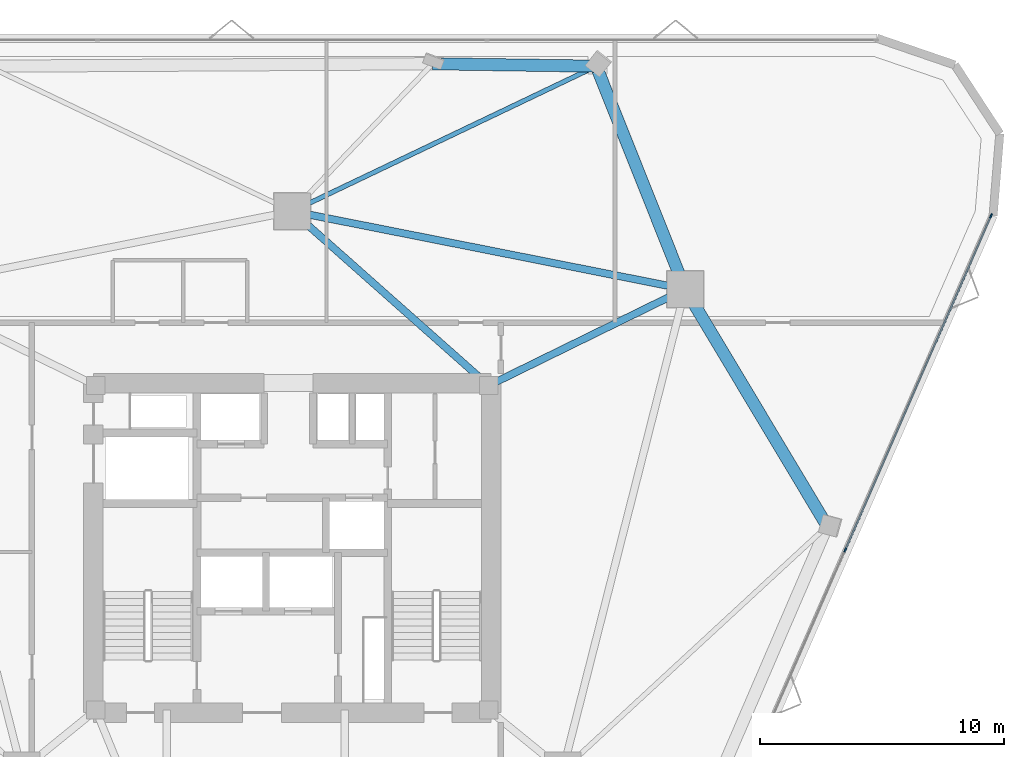
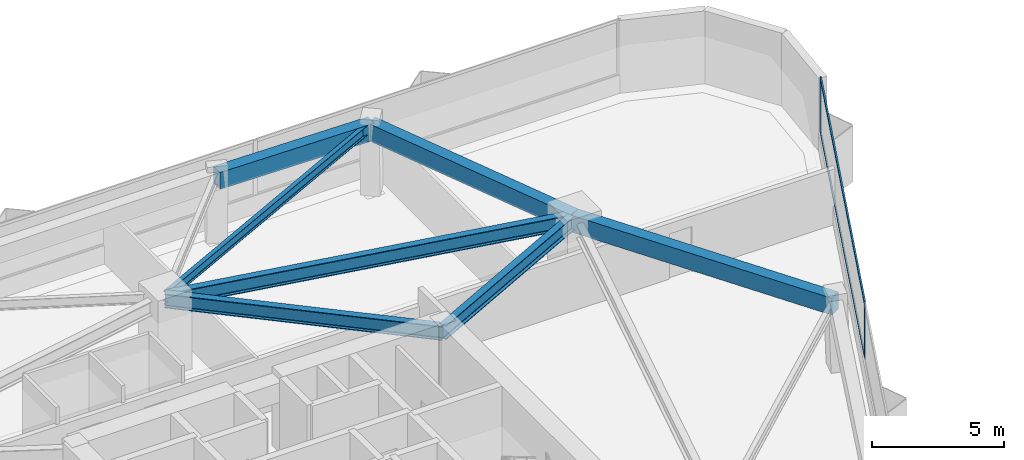
# One storey, part 7 of 16: 7 beams, 4 members, 1 element without a shape of its own.
"""IFC4 building model written with IfcOpenShell, lengths in metres."""

from ifc_helpers import new_model, si_unit, direction, frame, origin, origin_2d, place, context, subcontext, project, spatial, rectangle, i_section, extrude, material, layer, layer_set, material_profile, profile_set, type_object, element, aggregate, save


model = new_model("IFC4")

# Units and contexts
model_context = context("Model", 3, precision=1e-05, world=origin(), true_north=direction((0.0, 1.0)))
body_context = subcontext(model_context, "Body", "Model", "MODEL_VIEW")
ifc_project = project(units=[si_unit("LENGTHUNIT", "METRE"), si_unit("AREAUNIT", "SQUARE_METRE"), si_unit("VOLUMEUNIT", "CUBIC_METRE"), si_unit("PLANEANGLEUNIT", "RADIAN"), si_unit("MASSUNIT", "GRAM", prefix="KILO")], contexts=[model_context])

# Site, building, storey
site_placement = place(None, origin())
site = spatial("IfcSite", under=ifc_project, at=site_placement, CompositionType="ELEMENT")
building_placement = place(site_placement, origin())
building = spatial("IfcBuilding", under=site, at=building_placement, Name="Talyreon Biosciences Tower", CompositionType="ELEMENT")
storey_placement = place(building_placement, frame((0.0, 0.0, 134.5)))
storey = spatial("IfcBuildingStorey", under=building, at=storey_placement, Name="L35", CompositionType="ELEMENT", Elevation=134.5)

# Curtain wall, members
ifc_material_1 = material(Name="Thermally broken aluminium and low-E glazing", Category="aluminium")
ifc_layer = layer(ifc_material_1, 0.18505859375)
ifc_layer_set = layer_set([ifc_layer], Name="Thermally broken aluminium and low-E glazing")
curtain_wall_type = type_object("IfcCurtainWallType", Name="CurtainWall_Zone3Bioprocess", PredefinedType="NOTDEFINED", material=ifc_layer_set)
curtain_wall_placement = place(storey_placement, origin())
curtain_wall = element("IfcCurtainWall", 1, at=curtain_wall_placement, inside=storey, type_object=curtain_wall_type, Name="L35 Unitised Curtain Wall FCW-L35-08", PredefinedType="NOTDEFINED")
ifc_material_2 = material(Name="Anodised thermally broken aluminium", Category="aluminium")
ifc_material_profile_1 = material_profile(ifc_material_2, rectangle(XDim=0.06494140625, YDim=0.179931640625, at=origin_2d()), Name="ALUM MULLION 65x180")
ifc_profile_set_1 = profile_set([ifc_material_profile_1], Name="Anodised thermally broken aluminium")
member_type_1 = type_object("IfcMemberType", Name="CWMullion_65x180", PredefinedType="MULLION", material=ifc_profile_set_1)
member_1_placement = place(storey_placement, frame((94.637451171875, 81.609130859375, 0.81005859375), z_axis=(0.0, 0.0, 1.0), x_axis=(0.916566441856, -0.399882429801, 0.0)))
member_1 = element("IfcMember", 2, at=member_1_placement, type_object=member_type_1, Name="CW4 mullion 1", PredefinedType="MULLION", context=body_context, shape_type="SweptSolid", body=[
    extrude(rectangle(XDim=0.06494140625, YDim=0.179931640625, at=origin_2d()), origin(), (0.0, 0.0, 1.0), 2.56494140625),
])
member_2_placement = place(storey_placement, frame((88.6611328125, 67.910400390625, 0.81005859375), z_axis=(0.0, 0.0, 1.0), x_axis=(0.916566441856, -0.399882429801, 0.0)))
member_2 = element("IfcMember", 3, at=member_2_placement, type_object=member_type_1, Name="CW4 mullion 2", PredefinedType="MULLION", context=body_context, shape_type="SweptSolid", body=[
    extrude(rectangle(XDim=0.06494140625, YDim=0.179931640625, at=origin_2d()), origin(), (0.0, 0.0, 1.0), 2.56494140625),
])
ifc_material_profile_2 = material_profile(ifc_material_2, rectangle(XDim=0.06494140625, YDim=0.139892578125, at=origin_2d()), Name="ALUM TRANSOM 65x140")
ifc_profile_set_2 = profile_set([ifc_material_profile_2], Name="Anodised thermally broken aluminium")
member_type_2 = type_object("IfcMemberType", Name="CWTransom_65x140", PredefinedType="USERDEFINED", material=ifc_profile_set_2)
member_3_placement = place(storey_placement, frame((94.62451171875, 81.5791015625, 0.842529296875), z_axis=(-0.39988306059, -0.916566166653, 0.0), x_axis=(0.916566166653, -0.39988306059, 0.0)))
member_3 = element("IfcMember", 4, at=member_3_placement, type_object=member_type_2, Name="CW4 transom 1.1", ObjectType="TRANSOM", PredefinedType="USERDEFINED", context=body_context, shape_type="SweptSolid", body=[
    extrude(rectangle(XDim=0.06494140625, YDim=0.139892578125, at=origin_2d()), origin(), (0.0, 0.0, 1.0), 14.88037109375),
])
member_4_placement = place(storey_placement, frame((94.62451171875, 81.5791015625, 3.342529296875), z_axis=(-0.39988306059, -0.916566166653, 0.0), x_axis=(0.916566166653, -0.39988306059, 0.0)))
member_4 = element("IfcMember", 5, at=member_4_placement, type_object=member_type_2, Name="CW4 transom 1.2", ObjectType="TRANSOM", PredefinedType="USERDEFINED", context=body_context, shape_type="SweptSolid", body=[
    extrude(rectangle(XDim=0.06494140625, YDim=0.139892578125, at=origin_2d()), origin(), (0.0, 0.0, 1.0), 14.88037109375),
])
aggregate(curtain_wall, [member_1, member_2, member_3, member_4])

# Beams
ifc_material_3 = material(Name="Precast concrete C45/55", Category="concrete")
ifc_material_profile_3 = material_profile(ifc_material_3, rectangle(XDim=0.5, YDim=0.780029296875, at=origin_2d()), Name="RCB 500x780")
ifc_profile_set_3 = profile_set([ifc_material_profile_3], Name="Precast concrete C45/55")
beam_type_1 = type_object("IfcBeamType", Name="ExpressedSpandrel_500x780", PredefinedType="SPANDREL", material=ifc_profile_set_3)
beam_1_placement = place(storey_placement, frame((87.919921875, 68.887451171875, 2.985107421875), z_axis=(-0.51390572923, 0.857846665474, 0.0), x_axis=(-0.857846665474, -0.51390572923, 0.0)))
element("IfcBeam", 6, at=beam_1_placement, inside=storey, type_object=beam_type_1, Name="L35 Expressed Horizontal Concrete Spandrel 04", PredefinedType="SPANDREL", context=body_context, shape_type="SweptSolid", body=[
    extrude(rectangle(XDim=0.5, YDim=0.780029296875, at=origin_2d()), origin(), (0.0, 0.0, 1.0), 11.3203125),
])
beam_2_placement = place(storey_placement, frame((82.102294921875, 78.5986328125, 2.985107421875), z_axis=(-0.370453406097, 0.928851050444, 0.0), x_axis=(-0.928851050444, -0.370453406097, 0.0)))
element("IfcBeam", 7, at=beam_2_placement, inside=storey, type_object=beam_type_1, Name="L35 Expressed Horizontal Concrete Spandrel 05", PredefinedType="SPANDREL", context=body_context, shape_type="SweptSolid", body=[
    extrude(rectangle(XDim=0.5, YDim=0.780029296875, at=origin_2d()), origin(), (0.0, 0.0, 1.0), 9.83740234375),
])
beam_3_placement = place(storey_placement, frame((78.4580078125, 87.736083984375, 2.985107421875), z_axis=(-0.99988869195, 0.014919909877, 0.0), x_axis=(-0.014919909877, -0.99988869195, 0.0)))
element("IfcBeam", 8, at=beam_3_placement, inside=storey, type_object=beam_type_1, Name="L35 Expressed Horizontal Concrete Spandrel 06", PredefinedType="SPANDREL", context=body_context, shape_type="SweptSolid", body=[
    extrude(rectangle(XDim=0.5, YDim=0.780029296875, at=origin_2d()), origin(), (0.0, 0.0, 1.0), 6.708984375),
])
ifc_material_4 = material(Name="Steel SM355", Category="steel")
ifc_material_profile_4 = material_profile(ifc_material_4, i_section(OverallWidth=0.300048828125, OverallDepth=0.64990234375, WebThickness=0.01611328125, FlangeThickness=0.031005859375, FilletRadius=0.027099609375, at=origin_2d()), Name="HE650B")
ifc_profile_set_4 = profile_set([ifc_material_profile_4], Name="Steel SM355")
beam_type_2 = type_object("IfcBeamType", Name="SteelBeam_HE650B", PredefinedType="BEAM", material=ifc_profile_set_4)
beam_4_placement = place(storey_placement, frame((82.102294921875, 78.5986328125, 3.050048828125), z_axis=(-0.980933730698, 0.194342522311, 0.0), x_axis=(-0.194342522311, -0.980933730698, 0.0)))
element("IfcBeam", 9, at=beam_4_placement, inside=storey, type_object=beam_type_2, Name="L35 Mega-Ring Girder 3", PredefinedType="BEAM", context=body_context, shape_type="SweptSolid", body=[
    extrude(i_section(OverallWidth=0.300048828125, OverallDepth=0.64990234375, WebThickness=0.01611328125, FlangeThickness=0.031005859375, FilletRadius=0.027099609375, at=origin_2d()), origin(), (0.0, 0.0, 1.0), 16.415283203125),
])
beam_5_placement = place(storey_placement, frame((74.050048828125, 74.64990234375, 3.050048828125), z_axis=(0.897852360314, 0.440296648952, 0.0), x_axis=(-0.440296648952, 0.897852360314, 0.0)))
element("IfcBeam", 10, at=beam_5_placement, inside=storey, type_object=beam_type_2, Name="L35 Radial Primary Girder 3", PredefinedType="BEAM", context=body_context, shape_type="SweptSolid", body=[
    extrude(i_section(OverallWidth=0.300048828125, OverallDepth=0.64990234375, WebThickness=0.01611328125, FlangeThickness=0.031005859375, FilletRadius=0.027099609375, at=origin_2d()), origin(), (0.0, 0.0, 1.0), 8.96826171875),
])
beam_6_placement = place(storey_placement, frame((74.050048828125, 74.64990234375, 3.050048828125), z_axis=(-0.748178733955, 0.663497235908, 0.0), x_axis=(-0.663497235908, -0.748178733955, 0.0)))
element("IfcBeam", 11, at=beam_6_placement, inside=storey, type_object=beam_type_2, Name="L35 Radial Primary Girder 4", PredefinedType="BEAM", context=body_context, shape_type="SweptSolid", body=[
    extrude(i_section(OverallWidth=0.300048828125, OverallDepth=0.64990234375, WebThickness=0.01611328125, FlangeThickness=0.031005859375, FilletRadius=0.027099609375, at=origin_2d()), origin(), (0.0, 0.0, 1.0), 10.759521484375),
])
ifc_material_profile_5 = material_profile(ifc_material_4, i_section(OverallWidth=0.18994140625, OverallDepth=0.449951171875, WebThickness=0.009521484375, FlangeThickness=0.0146484375, FilletRadius=0.02099609375, at=origin_2d()), Name="IPE450")
ifc_profile_set_5 = profile_set([ifc_material_profile_5], Name="Steel SM355")
beam_type_3 = type_object("IfcBeamType", Name="SteelJoist_IPE450", PredefinedType="JOIST", material=ifc_profile_set_5)
beam_7_placement = place(storey_placement, frame((66.0, 81.788818359375, 3.14990234375), z_axis=(0.902441660765, 0.430812080745, 0.0), x_axis=(-0.430812080745, 0.902441660765, 0.0)))
element("IfcBeam", 12, at=beam_7_placement, inside=storey, type_object=beam_type_3, Name="L35 Radial Composite Floor Joist PC-N1", PredefinedType="JOIST", context=body_context, shape_type="SweptSolid", body=[
    extrude(i_section(OverallWidth=0.18994140625, OverallDepth=0.449951171875, WebThickness=0.009521484375, FlangeThickness=0.0146484375, FilletRadius=0.02099609375, at=origin_2d()), origin(), (0.0, 0.0, 1.0), 13.8046875),
])

save(model, "model.ifc")
